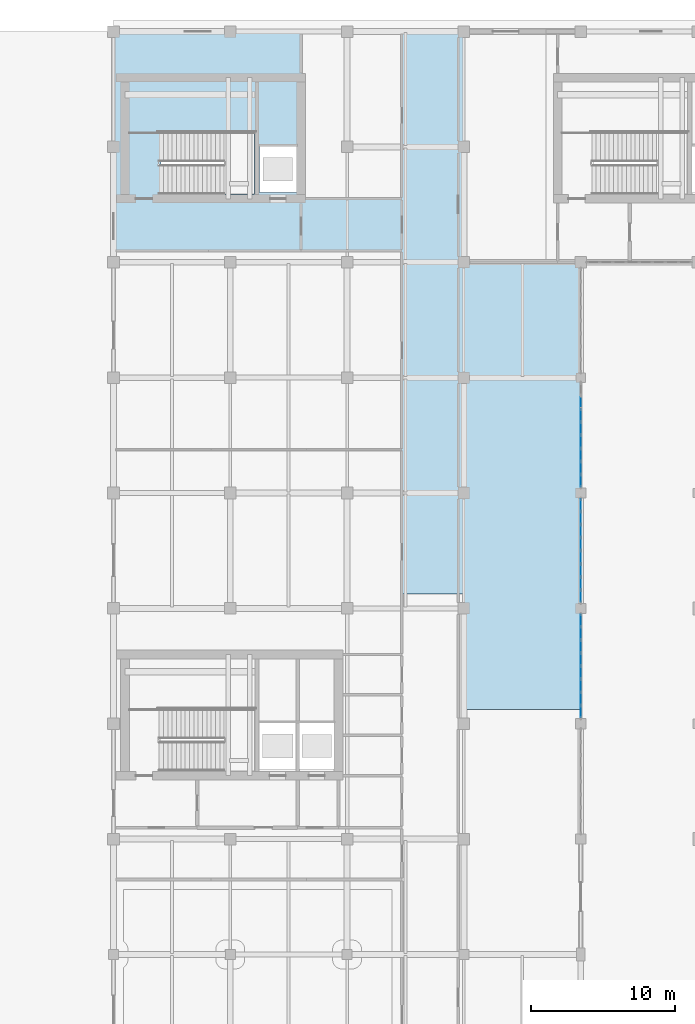
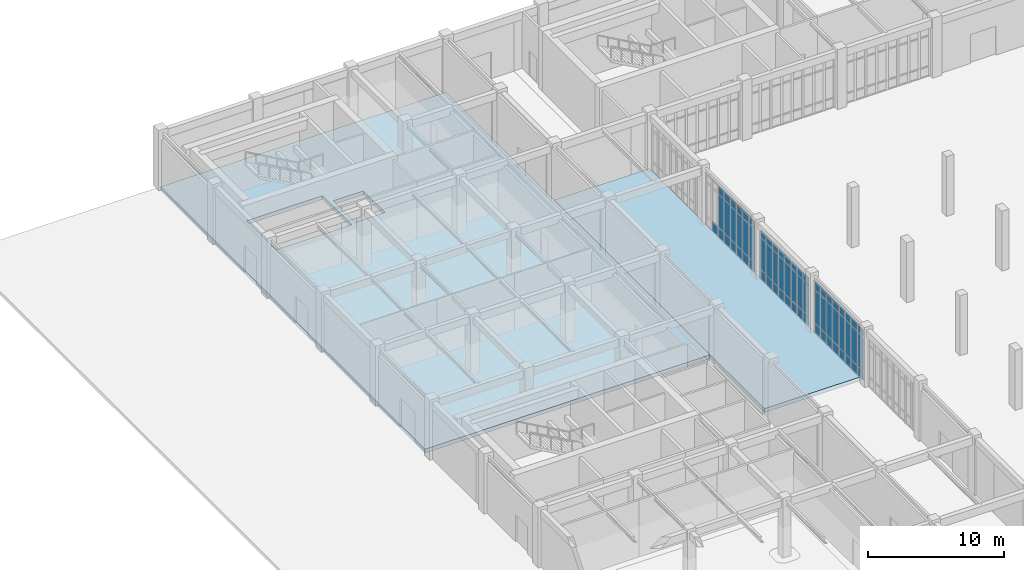
# One storey, part 34 of 62: 67 plates, 2 slabs, 3 elements without a shape of their own.
"""IFC4 building model written with IfcOpenShell, lengths in metres."""

from ifc_helpers import new_model, si_unit, direction, frame, origin, origin_2d, place, context, subcontext, project, spatial, polyline, rectangle, outline, extrude, material, layer, layer_set, type_object, element, aggregate, save


model = new_model("IFC4")

# Units and contexts
model_context = context("Model", 3, precision=1e-05, world=origin(), true_north=direction((0.0, 1.0)))
body_context = subcontext(model_context, "Body", "Model", "MODEL_VIEW")
ifc_project = project(units=[si_unit("LENGTHUNIT", "METRE"), si_unit("AREAUNIT", "SQUARE_METRE"), si_unit("VOLUMEUNIT", "CUBIC_METRE"), si_unit("PLANEANGLEUNIT", "RADIAN"), si_unit("MASSUNIT", "GRAM", prefix="KILO")], contexts=[model_context])

# Site, building, storey
site_placement = place(None, origin())
site = spatial("IfcSite", under=ifc_project, at=site_placement, CompositionType="ELEMENT")
building_placement = place(site_placement, origin())
building = spatial("IfcBuilding", under=site, at=building_placement, Name="Tarnveldt Square Police Headquarters", CompositionType="ELEMENT")
storey_placement = place(building_placement, origin())
storey = spatial("IfcBuildingStorey", under=building, at=storey_placement, Name="L00", CompositionType="ELEMENT", Elevation=0.0)

# Curtain wall, plates
ifc_material_1 = material(Name="Triple-glazed low-e laminated vision glass", Category="glass")
curtain_wall_type_1 = type_object("IfcCurtainWallType", Name="CW-WG-727x470", PredefinedType="USERDEFINED", material=ifc_material_1)
curtain_wall_1_placement = place(storey_placement, origin())
curtain_wall_1 = element("IfcCurtainWall", 1, at=curtain_wall_1_placement, inside=storey, type_object=curtain_wall_type_1, Name="L00 Curtain Wall CW-L00-063", ObjectType="GLAZED CURTAIN WALL", PredefinedType="USERDEFINED")
ifc_layer_1 = layer(ifc_material_1, 0.028076171875)
ifc_layer_set_1 = layer_set([ifc_layer_1], Name="Triple-glazed low-e laminated vision glass")
plate_type = type_object("IfcPlateType", Name="CWP-VIS-28", PredefinedType="CURTAIN_PANEL", material=ifc_layer_set_1)
plate_1_placement = place(storey_placement, frame((48.60009765625, 64.840576171875, 0.074951171875), z_axis=(0.0, 0.0, 1.0), x_axis=(0.0, 1.0, 0.0)))
plate_1 = element("IfcPlate", 2, at=plate_1_placement, type_object=plate_type, Name="CW-WG25 panel 1.1", PredefinedType="CURTAIN_PANEL", context=body_context, shape_type="SweptSolid", body=[
    extrude(rectangle(XDim=0.78125, YDim=0.028076171875, at=origin_2d()), origin(), (0.0, 0.0, 1.0), 0.78759765625),
])
plate_2_placement = place(storey_placement, frame((48.60009765625, 64.840576171875, 0.9375), z_axis=(0.0, 0.0, 1.0), x_axis=(0.0, 1.0, 0.0)))
plate_2 = element("IfcPlate", 3, at=plate_2_placement, type_object=plate_type, Name="CW-WG25 panel 1.2", PredefinedType="CURTAIN_PANEL", context=body_context, shape_type="SweptSolid", body=[
    extrude(rectangle(XDim=0.78125, YDim=0.028076171875, at=origin_2d()), origin(), (0.0, 0.0, 1.0), 2.969970703125),
])
plate_3_placement = place(storey_placement, frame((48.60009765625, 64.840576171875, 3.982421875), z_axis=(0.0, 0.0, 1.0), x_axis=(0.0, 1.0, 0.0)))
plate_3 = element("IfcPlate", 4, at=plate_3_placement, type_object=plate_type, Name="CW-WG25 panel 1.3", PredefinedType="CURTAIN_PANEL", context=body_context, shape_type="SweptSolid", body=[
    extrude(rectangle(XDim=0.78125, YDim=0.028076171875, at=origin_2d()), origin(), (0.0, 0.0, 1.0), 0.637451171875),
])
plate_4_placement = place(storey_placement, frame((48.60009765625, 65.72802734375, 0.074951171875), z_axis=(0.0, 0.0, 1.0), x_axis=(0.0, 1.0, 0.0)))
plate_4 = element("IfcPlate", 5, at=plate_4_placement, type_object=plate_type, Name="CW-WG25 panel 2.1", PredefinedType="CURTAIN_PANEL", context=body_context, shape_type="SweptSolid", body=[
    extrude(rectangle(XDim=0.82373046875, YDim=0.028076171875, at=origin_2d()), origin(), (0.0, 0.0, 1.0), 0.78759765625),
])
plate_5_placement = place(storey_placement, frame((48.60009765625, 65.72802734375, 0.9375), z_axis=(0.0, 0.0, 1.0), x_axis=(0.0, 1.0, 0.0)))
plate_5 = element("IfcPlate", 6, at=plate_5_placement, type_object=plate_type, Name="CW-WG25 panel 2.2", PredefinedType="CURTAIN_PANEL", context=body_context, shape_type="SweptSolid", body=[
    extrude(rectangle(XDim=0.82373046875, YDim=0.028076171875, at=origin_2d()), origin(), (0.0, 0.0, 1.0), 2.969970703125),
])
plate_6_placement = place(storey_placement, frame((48.60009765625, 65.72802734375, 3.982421875), z_axis=(0.0, 0.0, 1.0), x_axis=(0.0, 1.0, 0.0)))
plate_6 = element("IfcPlate", 7, at=plate_6_placement, type_object=plate_type, Name="CW-WG25 panel 2.3", PredefinedType="CURTAIN_PANEL", context=body_context, shape_type="SweptSolid", body=[
    extrude(rectangle(XDim=0.82373046875, YDim=0.028076171875, at=origin_2d()), origin(), (0.0, 0.0, 1.0), 0.637451171875),
])
plate_7_placement = place(storey_placement, frame((48.60009765625, 66.636962890625, 0.074951171875), z_axis=(0.0, 0.0, 1.0), x_axis=(0.0, 1.0, 0.0)))
plate_7 = element("IfcPlate", 8, at=plate_7_placement, type_object=plate_type, Name="CW-WG25 panel 3.1", PredefinedType="CURTAIN_PANEL", context=body_context, shape_type="SweptSolid", body=[
    extrude(rectangle(XDim=0.82373046875, YDim=0.028076171875, at=origin_2d()), origin(), (0.0, 0.0, 1.0), 0.78759765625),
])
plate_8_placement = place(storey_placement, frame((48.60009765625, 66.636962890625, 0.9375), z_axis=(0.0, 0.0, 1.0), x_axis=(0.0, 1.0, 0.0)))
plate_8 = element("IfcPlate", 9, at=plate_8_placement, type_object=plate_type, Name="CW-WG25 panel 3.2", PredefinedType="CURTAIN_PANEL", context=body_context, shape_type="SweptSolid", body=[
    extrude(rectangle(XDim=0.82373046875, YDim=0.028076171875, at=origin_2d()), origin(), (0.0, 0.0, 1.0), 2.969970703125),
])
plate_9_placement = place(storey_placement, frame((48.60009765625, 66.636962890625, 3.982421875), z_axis=(0.0, 0.0, 1.0), x_axis=(0.0, 1.0, 0.0)))
plate_9 = element("IfcPlate", 10, at=plate_9_placement, type_object=plate_type, Name="CW-WG25 panel 3.3", PredefinedType="CURTAIN_PANEL", context=body_context, shape_type="SweptSolid", body=[
    extrude(rectangle(XDim=0.82373046875, YDim=0.028076171875, at=origin_2d()), origin(), (0.0, 0.0, 1.0), 0.637451171875),
])
plate_10_placement = place(storey_placement, frame((48.60009765625, 67.545654296875, 0.074951171875), z_axis=(0.0, 0.0, 1.0), x_axis=(0.0, 1.0, 0.0)))
plate_10 = element("IfcPlate", 11, at=plate_10_placement, type_object=plate_type, Name="CW-WG25 panel 4.1", PredefinedType="CURTAIN_PANEL", context=body_context, shape_type="SweptSolid", body=[
    extrude(rectangle(XDim=0.82373046875, YDim=0.028076171875, at=origin_2d()), origin(), (0.0, 0.0, 1.0), 0.78759765625),
])
plate_11_placement = place(storey_placement, frame((48.60009765625, 67.545654296875, 0.9375), z_axis=(0.0, 0.0, 1.0), x_axis=(0.0, 1.0, 0.0)))
plate_11 = element("IfcPlate", 12, at=plate_11_placement, type_object=plate_type, Name="CW-WG25 panel 4.2", PredefinedType="CURTAIN_PANEL", context=body_context, shape_type="SweptSolid", body=[
    extrude(rectangle(XDim=0.82373046875, YDim=0.028076171875, at=origin_2d()), origin(), (0.0, 0.0, 1.0), 2.969970703125),
])
plate_12_placement = place(storey_placement, frame((48.60009765625, 67.545654296875, 3.982421875), z_axis=(0.0, 0.0, 1.0), x_axis=(0.0, 1.0, 0.0)))
plate_12 = element("IfcPlate", 13, at=plate_12_placement, type_object=plate_type, Name="CW-WG25 panel 4.3", PredefinedType="CURTAIN_PANEL", context=body_context, shape_type="SweptSolid", body=[
    extrude(rectangle(XDim=0.82373046875, YDim=0.028076171875, at=origin_2d()), origin(), (0.0, 0.0, 1.0), 0.637451171875),
])
plate_13_placement = place(storey_placement, frame((48.60009765625, 68.454345703125, 0.074951171875), z_axis=(0.0, 0.0, 1.0), x_axis=(0.0, 1.0, 0.0)))
plate_13 = element("IfcPlate", 14, at=plate_13_placement, type_object=plate_type, Name="CW-WG25 panel 5.1", PredefinedType="CURTAIN_PANEL", context=body_context, shape_type="SweptSolid", body=[
    extrude(rectangle(XDim=0.82373046875, YDim=0.028076171875, at=origin_2d()), origin(), (0.0, 0.0, 1.0), 0.78759765625),
])
plate_14_placement = place(storey_placement, frame((48.60009765625, 68.454345703125, 0.9375), z_axis=(0.0, 0.0, 1.0), x_axis=(0.0, 1.0, 0.0)))
plate_14 = element("IfcPlate", 15, at=plate_14_placement, type_object=plate_type, Name="CW-WG25 panel 5.2", PredefinedType="CURTAIN_PANEL", context=body_context, shape_type="SweptSolid", body=[
    extrude(rectangle(XDim=0.82373046875, YDim=0.028076171875, at=origin_2d()), origin(), (0.0, 0.0, 1.0), 2.969970703125),
])
plate_15_placement = place(storey_placement, frame((48.60009765625, 68.454345703125, 3.982421875), z_axis=(0.0, 0.0, 1.0), x_axis=(0.0, 1.0, 0.0)))
plate_15 = element("IfcPlate", 16, at=plate_15_placement, type_object=plate_type, Name="CW-WG25 panel 5.3", PredefinedType="CURTAIN_PANEL", context=body_context, shape_type="SweptSolid", body=[
    extrude(rectangle(XDim=0.82373046875, YDim=0.028076171875, at=origin_2d()), origin(), (0.0, 0.0, 1.0), 0.637451171875),
])
plate_16_placement = place(storey_placement, frame((48.60009765625, 69.363037109375, 0.074951171875), z_axis=(0.0, 0.0, 1.0), x_axis=(0.0, 1.0, 0.0)))
plate_16 = element("IfcPlate", 17, at=plate_16_placement, type_object=plate_type, Name="CW-WG25 panel 6.1", PredefinedType="CURTAIN_PANEL", context=body_context, shape_type="SweptSolid", body=[
    extrude(rectangle(XDim=0.82373046875, YDim=0.028076171875, at=origin_2d()), origin(), (0.0, 0.0, 1.0), 0.78759765625),
])
plate_17_placement = place(storey_placement, frame((48.60009765625, 69.363037109375, 0.9375), z_axis=(0.0, 0.0, 1.0), x_axis=(0.0, 1.0, 0.0)))
plate_17 = element("IfcPlate", 18, at=plate_17_placement, type_object=plate_type, Name="CW-WG25 panel 6.2", PredefinedType="CURTAIN_PANEL", context=body_context, shape_type="SweptSolid", body=[
    extrude(rectangle(XDim=0.82373046875, YDim=0.028076171875, at=origin_2d()), origin(), (0.0, 0.0, 1.0), 2.969970703125),
])
plate_18_placement = place(storey_placement, frame((48.60009765625, 69.363037109375, 3.982421875), z_axis=(0.0, 0.0, 1.0), x_axis=(0.0, 1.0, 0.0)))
plate_18 = element("IfcPlate", 19, at=plate_18_placement, type_object=plate_type, Name="CW-WG25 panel 6.3", PredefinedType="CURTAIN_PANEL", context=body_context, shape_type="SweptSolid", body=[
    extrude(rectangle(XDim=0.82373046875, YDim=0.028076171875, at=origin_2d()), origin(), (0.0, 0.0, 1.0), 0.637451171875),
])
plate_19_placement = place(storey_placement, frame((48.60009765625, 70.27197265625, 0.074951171875), z_axis=(0.0, 0.0, 1.0), x_axis=(0.0, 1.0, 0.0)))
plate_19 = element("IfcPlate", 20, at=plate_19_placement, type_object=plate_type, Name="CW-WG25 panel 7.1", PredefinedType="CURTAIN_PANEL", context=body_context, shape_type="SweptSolid", body=[
    extrude(rectangle(XDim=0.82373046875, YDim=0.028076171875, at=origin_2d()), origin(), (0.0, 0.0, 1.0), 0.78759765625),
])
plate_20_placement = place(storey_placement, frame((48.60009765625, 70.27197265625, 0.9375), z_axis=(0.0, 0.0, 1.0), x_axis=(0.0, 1.0, 0.0)))
plate_20 = element("IfcPlate", 21, at=plate_20_placement, type_object=plate_type, Name="CW-WG25 panel 7.2", PredefinedType="CURTAIN_PANEL", context=body_context, shape_type="SweptSolid", body=[
    extrude(rectangle(XDim=0.82373046875, YDim=0.028076171875, at=origin_2d()), origin(), (0.0, 0.0, 1.0), 2.969970703125),
])
plate_21_placement = place(storey_placement, frame((48.60009765625, 70.27197265625, 3.982421875), z_axis=(0.0, 0.0, 1.0), x_axis=(0.0, 1.0, 0.0)))
plate_21 = element("IfcPlate", 22, at=plate_21_placement, type_object=plate_type, Name="CW-WG25 panel 7.3", PredefinedType="CURTAIN_PANEL", context=body_context, shape_type="SweptSolid", body=[
    extrude(rectangle(XDim=0.82373046875, YDim=0.028076171875, at=origin_2d()), origin(), (0.0, 0.0, 1.0), 0.637451171875),
])
plate_22_placement = place(storey_placement, frame((48.60009765625, 71.159423828125, 0.074951171875), z_axis=(0.0, 0.0, 1.0), x_axis=(0.0, 1.0, 0.0)))
plate_22 = element("IfcPlate", 23, at=plate_22_placement, type_object=plate_type, Name="CW-WG25 panel 8.1", PredefinedType="CURTAIN_PANEL", context=body_context, shape_type="SweptSolid", body=[
    extrude(rectangle(XDim=0.78125, YDim=0.028076171875, at=origin_2d()), origin(), (0.0, 0.0, 1.0), 0.78759765625),
])
plate_23_placement = place(storey_placement, frame((48.60009765625, 71.159423828125, 0.9375), z_axis=(0.0, 0.0, 1.0), x_axis=(0.0, 1.0, 0.0)))
plate_23 = element("IfcPlate", 24, at=plate_23_placement, type_object=plate_type, Name="CW-WG25 panel 8.2", PredefinedType="CURTAIN_PANEL", context=body_context, shape_type="SweptSolid", body=[
    extrude(rectangle(XDim=0.78125, YDim=0.028076171875, at=origin_2d()), origin(), (0.0, 0.0, 1.0), 2.969970703125),
])
plate_24_placement = place(storey_placement, frame((48.60009765625, 71.159423828125, 3.982421875), z_axis=(0.0, 0.0, 1.0), x_axis=(0.0, 1.0, 0.0)))
plate_24 = element("IfcPlate", 25, at=plate_24_placement, type_object=plate_type, Name="CW-WG25 panel 8.3", PredefinedType="CURTAIN_PANEL", context=body_context, shape_type="SweptSolid", body=[
    extrude(rectangle(XDim=0.78125, YDim=0.028076171875, at=origin_2d()), origin(), (0.0, 0.0, 1.0), 0.637451171875),
])
aggregate(curtain_wall_1, [plate_1, plate_2, plate_3, plate_4, plate_5, plate_6, plate_7, plate_8, plate_9, plate_10, plate_11, plate_12, plate_13, plate_14, plate_15, plate_16, plate_17, plate_18, plate_19, plate_20, plate_21, plate_22, plate_23, plate_24])

curtain_wall_type_2 = type_object("IfcCurtainWallType", Name="CW-WG-727x451", PredefinedType="USERDEFINED", material=ifc_material_1)
curtain_wall_2_placement = place(storey_placement, origin())
curtain_wall_2 = element("IfcCurtainWall", 26, at=curtain_wall_2_placement, inside=storey, type_object=curtain_wall_type_2, Name="L00 Curtain Wall CW-L00-064", ObjectType="GLAZED CURTAIN WALL", PredefinedType="USERDEFINED")
plate_25_placement = place(storey_placement, frame((48.60009765625, 72.840576171875, 0.074951171875), z_axis=(0.0, 0.0, 1.0), x_axis=(0.0, 1.0, 0.0)))
plate_25 = element("IfcPlate", 27, at=plate_25_placement, type_object=plate_type, Name="CW-WG24 panel 1.1", PredefinedType="CURTAIN_PANEL", context=body_context, shape_type="SweptSolid", body=[
    extrude(rectangle(XDim=0.78125, YDim=0.028076171875, at=origin_2d()), origin(), (0.0, 0.0, 1.0), 0.78759765625),
])
plate_26_placement = place(storey_placement, frame((48.60009765625, 72.840576171875, 0.9375), z_axis=(0.0, 0.0, 1.0), x_axis=(0.0, 1.0, 0.0)))
plate_26 = element("IfcPlate", 28, at=plate_26_placement, type_object=plate_type, Name="CW-WG24 panel 1.2", PredefinedType="CURTAIN_PANEL", context=body_context, shape_type="SweptSolid", body=[
    extrude(rectangle(XDim=0.78125, YDim=0.028076171875, at=origin_2d()), origin(), (0.0, 0.0, 1.0), 2.787109375),
])
plate_27_placement = place(storey_placement, frame((48.60009765625, 72.840576171875, 3.79931640625), z_axis=(0.0, 0.0, 1.0), x_axis=(0.0, 1.0, 0.0)))
plate_27 = element("IfcPlate", 29, at=plate_27_placement, type_object=plate_type, Name="CW-WG24 panel 1.3", PredefinedType="CURTAIN_PANEL", context=body_context, shape_type="SweptSolid", body=[
    extrude(rectangle(XDim=0.78125, YDim=0.028076171875, at=origin_2d()), origin(), (0.0, 0.0, 1.0), 0.637451171875),
])
plate_28_placement = place(storey_placement, frame((48.60009765625, 73.72802734375, 0.074951171875), z_axis=(0.0, 0.0, 1.0), x_axis=(0.0, 1.0, 0.0)))
plate_28 = element("IfcPlate", 30, at=plate_28_placement, type_object=plate_type, Name="CW-WG24 panel 2.1", PredefinedType="CURTAIN_PANEL", context=body_context, shape_type="SweptSolid", body=[
    extrude(rectangle(XDim=0.82373046875, YDim=0.028076171875, at=origin_2d()), origin(), (0.0, 0.0, 1.0), 0.78759765625),
])
plate_29_placement = place(storey_placement, frame((48.60009765625, 73.72802734375, 0.9375), z_axis=(0.0, 0.0, 1.0), x_axis=(0.0, 1.0, 0.0)))
plate_29 = element("IfcPlate", 31, at=plate_29_placement, type_object=plate_type, Name="CW-WG24 panel 2.2", PredefinedType="CURTAIN_PANEL", context=body_context, shape_type="SweptSolid", body=[
    extrude(rectangle(XDim=0.82373046875, YDim=0.028076171875, at=origin_2d()), origin(), (0.0, 0.0, 1.0), 2.787109375),
])
plate_30_placement = place(storey_placement, frame((48.60009765625, 73.72802734375, 3.79931640625), z_axis=(0.0, 0.0, 1.0), x_axis=(0.0, 1.0, 0.0)))
plate_30 = element("IfcPlate", 32, at=plate_30_placement, type_object=plate_type, Name="CW-WG24 panel 2.3", PredefinedType="CURTAIN_PANEL", context=body_context, shape_type="SweptSolid", body=[
    extrude(rectangle(XDim=0.82373046875, YDim=0.028076171875, at=origin_2d()), origin(), (0.0, 0.0, 1.0), 0.637451171875),
])
plate_31_placement = place(storey_placement, frame((48.60009765625, 74.636962890625, 0.074951171875), z_axis=(0.0, 0.0, 1.0), x_axis=(0.0, 1.0, 0.0)))
plate_31 = element("IfcPlate", 33, at=plate_31_placement, type_object=plate_type, Name="CW-WG24 panel 3.1", PredefinedType="CURTAIN_PANEL", context=body_context, shape_type="SweptSolid", body=[
    extrude(rectangle(XDim=0.82373046875, YDim=0.028076171875, at=origin_2d()), origin(), (0.0, 0.0, 1.0), 0.78759765625),
])
plate_32_placement = place(storey_placement, frame((48.60009765625, 74.636962890625, 0.9375), z_axis=(0.0, 0.0, 1.0), x_axis=(0.0, 1.0, 0.0)))
plate_32 = element("IfcPlate", 34, at=plate_32_placement, type_object=plate_type, Name="CW-WG24 panel 3.2", PredefinedType="CURTAIN_PANEL", context=body_context, shape_type="SweptSolid", body=[
    extrude(rectangle(XDim=0.82373046875, YDim=0.028076171875, at=origin_2d()), origin(), (0.0, 0.0, 1.0), 2.787109375),
])
plate_33_placement = place(storey_placement, frame((48.60009765625, 74.636962890625, 3.79931640625), z_axis=(0.0, 0.0, 1.0), x_axis=(0.0, 1.0, 0.0)))
plate_33 = element("IfcPlate", 35, at=plate_33_placement, type_object=plate_type, Name="CW-WG24 panel 3.3", PredefinedType="CURTAIN_PANEL", context=body_context, shape_type="SweptSolid", body=[
    extrude(rectangle(XDim=0.82373046875, YDim=0.028076171875, at=origin_2d()), origin(), (0.0, 0.0, 1.0), 0.637451171875),
])
plate_34_placement = place(storey_placement, frame((48.60009765625, 75.545654296875, 0.074951171875), z_axis=(0.0, 0.0, 1.0), x_axis=(0.0, 1.0, 0.0)))
plate_34 = element("IfcPlate", 36, at=plate_34_placement, type_object=plate_type, Name="CW-WG24 panel 4.1", PredefinedType="CURTAIN_PANEL", context=body_context, shape_type="SweptSolid", body=[
    extrude(rectangle(XDim=0.82373046875, YDim=0.028076171875, at=origin_2d()), origin(), (0.0, 0.0, 1.0), 0.78759765625),
])
plate_35_placement = place(storey_placement, frame((48.60009765625, 75.545654296875, 0.9375), z_axis=(0.0, 0.0, 1.0), x_axis=(0.0, 1.0, 0.0)))
plate_35 = element("IfcPlate", 37, at=plate_35_placement, type_object=plate_type, Name="CW-WG24 panel 4.2", PredefinedType="CURTAIN_PANEL", context=body_context, shape_type="SweptSolid", body=[
    extrude(rectangle(XDim=0.82373046875, YDim=0.028076171875, at=origin_2d()), origin(), (0.0, 0.0, 1.0), 2.787109375),
])
plate_36_placement = place(storey_placement, frame((48.60009765625, 75.545654296875, 3.79931640625), z_axis=(0.0, 0.0, 1.0), x_axis=(0.0, 1.0, 0.0)))
plate_36 = element("IfcPlate", 38, at=plate_36_placement, type_object=plate_type, Name="CW-WG24 panel 4.3", PredefinedType="CURTAIN_PANEL", context=body_context, shape_type="SweptSolid", body=[
    extrude(rectangle(XDim=0.82373046875, YDim=0.028076171875, at=origin_2d()), origin(), (0.0, 0.0, 1.0), 0.637451171875),
])
plate_37_placement = place(storey_placement, frame((48.60009765625, 76.454345703125, 0.074951171875), z_axis=(0.0, 0.0, 1.0), x_axis=(0.0, 1.0, 0.0)))
plate_37 = element("IfcPlate", 39, at=plate_37_placement, type_object=plate_type, Name="CW-WG24 panel 5.1", PredefinedType="CURTAIN_PANEL", context=body_context, shape_type="SweptSolid", body=[
    extrude(rectangle(XDim=0.82373046875, YDim=0.028076171875, at=origin_2d()), origin(), (0.0, 0.0, 1.0), 0.78759765625),
])
plate_38_placement = place(storey_placement, frame((48.60009765625, 76.454345703125, 0.9375), z_axis=(0.0, 0.0, 1.0), x_axis=(0.0, 1.0, 0.0)))
plate_38 = element("IfcPlate", 40, at=plate_38_placement, type_object=plate_type, Name="CW-WG24 panel 5.2", PredefinedType="CURTAIN_PANEL", context=body_context, shape_type="SweptSolid", body=[
    extrude(rectangle(XDim=0.82373046875, YDim=0.028076171875, at=origin_2d()), origin(), (0.0, 0.0, 1.0), 2.787109375),
])
plate_39_placement = place(storey_placement, frame((48.60009765625, 76.454345703125, 3.79931640625), z_axis=(0.0, 0.0, 1.0), x_axis=(0.0, 1.0, 0.0)))
plate_39 = element("IfcPlate", 41, at=plate_39_placement, type_object=plate_type, Name="CW-WG24 panel 5.3", PredefinedType="CURTAIN_PANEL", context=body_context, shape_type="SweptSolid", body=[
    extrude(rectangle(XDim=0.82373046875, YDim=0.028076171875, at=origin_2d()), origin(), (0.0, 0.0, 1.0), 0.637451171875),
])
plate_40_placement = place(storey_placement, frame((48.60009765625, 77.363037109375, 0.074951171875), z_axis=(0.0, 0.0, 1.0), x_axis=(0.0, 1.0, 0.0)))
plate_40 = element("IfcPlate", 42, at=plate_40_placement, type_object=plate_type, Name="CW-WG24 panel 6.1", PredefinedType="CURTAIN_PANEL", context=body_context, shape_type="SweptSolid", body=[
    extrude(rectangle(XDim=0.82373046875, YDim=0.028076171875, at=origin_2d()), origin(), (0.0, 0.0, 1.0), 0.78759765625),
])
plate_41_placement = place(storey_placement, frame((48.60009765625, 77.363037109375, 0.9375), z_axis=(0.0, 0.0, 1.0), x_axis=(0.0, 1.0, 0.0)))
plate_41 = element("IfcPlate", 43, at=plate_41_placement, type_object=plate_type, Name="CW-WG24 panel 6.2", PredefinedType="CURTAIN_PANEL", context=body_context, shape_type="SweptSolid", body=[
    extrude(rectangle(XDim=0.82373046875, YDim=0.028076171875, at=origin_2d()), origin(), (0.0, 0.0, 1.0), 2.787109375),
])
plate_42_placement = place(storey_placement, frame((48.60009765625, 77.363037109375, 3.79931640625), z_axis=(0.0, 0.0, 1.0), x_axis=(0.0, 1.0, 0.0)))
plate_42 = element("IfcPlate", 44, at=plate_42_placement, type_object=plate_type, Name="CW-WG24 panel 6.3", PredefinedType="CURTAIN_PANEL", context=body_context, shape_type="SweptSolid", body=[
    extrude(rectangle(XDim=0.82373046875, YDim=0.028076171875, at=origin_2d()), origin(), (0.0, 0.0, 1.0), 0.637451171875),
])
plate_43_placement = place(storey_placement, frame((48.60009765625, 78.27197265625, 0.074951171875), z_axis=(0.0, 0.0, 1.0), x_axis=(0.0, 1.0, 0.0)))
plate_43 = element("IfcPlate", 45, at=plate_43_placement, type_object=plate_type, Name="CW-WG24 panel 7.1", PredefinedType="CURTAIN_PANEL", context=body_context, shape_type="SweptSolid", body=[
    extrude(rectangle(XDim=0.82373046875, YDim=0.028076171875, at=origin_2d()), origin(), (0.0, 0.0, 1.0), 0.78759765625),
])
plate_44_placement = place(storey_placement, frame((48.60009765625, 78.27197265625, 0.9375), z_axis=(0.0, 0.0, 1.0), x_axis=(0.0, 1.0, 0.0)))
plate_44 = element("IfcPlate", 46, at=plate_44_placement, type_object=plate_type, Name="CW-WG24 panel 7.2", PredefinedType="CURTAIN_PANEL", context=body_context, shape_type="SweptSolid", body=[
    extrude(rectangle(XDim=0.82373046875, YDim=0.028076171875, at=origin_2d()), origin(), (0.0, 0.0, 1.0), 2.787109375),
])
plate_45_placement = place(storey_placement, frame((48.60009765625, 78.27197265625, 3.79931640625), z_axis=(0.0, 0.0, 1.0), x_axis=(0.0, 1.0, 0.0)))
plate_45 = element("IfcPlate", 47, at=plate_45_placement, type_object=plate_type, Name="CW-WG24 panel 7.3", PredefinedType="CURTAIN_PANEL", context=body_context, shape_type="SweptSolid", body=[
    extrude(rectangle(XDim=0.82373046875, YDim=0.028076171875, at=origin_2d()), origin(), (0.0, 0.0, 1.0), 0.637451171875),
])
plate_46_placement = place(storey_placement, frame((48.60009765625, 79.159423828125, 0.074951171875), z_axis=(0.0, 0.0, 1.0), x_axis=(0.0, 1.0, 0.0)))
plate_46 = element("IfcPlate", 48, at=plate_46_placement, type_object=plate_type, Name="CW-WG24 panel 8.1", PredefinedType="CURTAIN_PANEL", context=body_context, shape_type="SweptSolid", body=[
    extrude(rectangle(XDim=0.78125, YDim=0.028076171875, at=origin_2d()), origin(), (0.0, 0.0, 1.0), 0.78759765625),
])
plate_47_placement = place(storey_placement, frame((48.60009765625, 79.159423828125, 0.9375), z_axis=(0.0, 0.0, 1.0), x_axis=(0.0, 1.0, 0.0)))
plate_47 = element("IfcPlate", 49, at=plate_47_placement, type_object=plate_type, Name="CW-WG24 panel 8.2", PredefinedType="CURTAIN_PANEL", context=body_context, shape_type="SweptSolid", body=[
    extrude(rectangle(XDim=0.78125, YDim=0.028076171875, at=origin_2d()), origin(), (0.0, 0.0, 1.0), 2.787109375),
])
plate_48_placement = place(storey_placement, frame((48.60009765625, 79.159423828125, 3.79931640625), z_axis=(0.0, 0.0, 1.0), x_axis=(0.0, 1.0, 0.0)))
plate_48 = element("IfcPlate", 50, at=plate_48_placement, type_object=plate_type, Name="CW-WG24 panel 8.3", PredefinedType="CURTAIN_PANEL", context=body_context, shape_type="SweptSolid", body=[
    extrude(rectangle(XDim=0.78125, YDim=0.028076171875, at=origin_2d()), origin(), (0.0, 0.0, 1.0), 0.637451171875),
])
aggregate(curtain_wall_2, [plate_25, plate_26, plate_27, plate_28, plate_29, plate_30, plate_31, plate_32, plate_33, plate_34, plate_35, plate_36, plate_37, plate_38, plate_39, plate_40, plate_41, plate_42, plate_43, plate_44, plate_45, plate_46, plate_47, plate_48])

curtain_wall_type_3 = type_object("IfcCurtainWallType", Name="CW-WG-730x470", PredefinedType="USERDEFINED", material=ifc_material_1)
curtain_wall_3_placement = place(storey_placement, origin())
curtain_wall_3 = element("IfcCurtainWall", 51, at=curtain_wall_3_placement, inside=storey, type_object=curtain_wall_type_3, Name="L00 Curtain Wall CW-L00-065", ObjectType="GLAZED CURTAIN WALL", PredefinedType="USERDEFINED")
plate_49_placement = place(storey_placement, frame((48.60009765625, 80.84228515625, 0.074951171875), z_axis=(0.0, 0.0, 1.0), x_axis=(0.0, 1.0, 0.0)))
plate_49 = element("IfcPlate", 52, at=plate_49_placement, type_object=plate_type, Name="CW-WG26 panel 1.1", PredefinedType="CURTAIN_PANEL", context=body_context, shape_type="SweptSolid", body=[
    extrude(rectangle(XDim=0.784423828125, YDim=0.028076171875, at=origin_2d()), origin(), (0.0, 0.0, 1.0), 0.78759765625),
])
plate_50_placement = place(storey_placement, frame((48.60009765625, 80.84228515625, 0.9375), z_axis=(0.0, 0.0, 1.0), x_axis=(0.0, 1.0, 0.0)))
plate_50 = element("IfcPlate", 53, at=plate_50_placement, type_object=plate_type, Name="CW-WG26 panel 1.2", PredefinedType="CURTAIN_PANEL", context=body_context, shape_type="SweptSolid", body=[
    extrude(rectangle(XDim=0.784423828125, YDim=0.028076171875, at=origin_2d()), origin(), (0.0, 0.0, 1.0), 2.969970703125),
])
plate_51_placement = place(storey_placement, frame((48.60009765625, 80.84228515625, 3.982421875), z_axis=(0.0, 0.0, 1.0), x_axis=(0.0, 1.0, 0.0)))
plate_51 = element("IfcPlate", 54, at=plate_51_placement, type_object=plate_type, Name="CW-WG26 panel 1.3", PredefinedType="CURTAIN_PANEL", context=body_context, shape_type="SweptSolid", body=[
    extrude(rectangle(XDim=0.784423828125, YDim=0.028076171875, at=origin_2d()), origin(), (0.0, 0.0, 1.0), 0.637451171875),
])
plate_52_placement = place(storey_placement, frame((48.60009765625, 81.73291015625, 0.074951171875), z_axis=(0.0, 0.0, 1.0), x_axis=(0.0, 1.0, 0.0)))
plate_52 = element("IfcPlate", 55, at=plate_52_placement, type_object=plate_type, Name="CW-WG26 panel 2.1", PredefinedType="CURTAIN_PANEL", context=body_context, shape_type="SweptSolid", body=[
    extrude(rectangle(XDim=0.826904296875, YDim=0.028076171875, at=origin_2d()), origin(), (0.0, 0.0, 1.0), 0.78759765625),
])
plate_53_placement = place(storey_placement, frame((48.60009765625, 81.73291015625, 0.9375), z_axis=(0.0, 0.0, 1.0), x_axis=(0.0, 1.0, 0.0)))
plate_53 = element("IfcPlate", 56, at=plate_53_placement, type_object=plate_type, Name="CW-WG26 panel 2.2", PredefinedType="CURTAIN_PANEL", context=body_context, shape_type="SweptSolid", body=[
    extrude(rectangle(XDim=0.826904296875, YDim=0.028076171875, at=origin_2d()), origin(), (0.0, 0.0, 1.0), 2.969970703125),
])
plate_54_placement = place(storey_placement, frame((48.60009765625, 81.73291015625, 3.982421875), z_axis=(0.0, 0.0, 1.0), x_axis=(0.0, 1.0, 0.0)))
plate_54 = element("IfcPlate", 57, at=plate_54_placement, type_object=plate_type, Name="CW-WG26 panel 2.3", PredefinedType="CURTAIN_PANEL", context=body_context, shape_type="SweptSolid", body=[
    extrude(rectangle(XDim=0.826904296875, YDim=0.028076171875, at=origin_2d()), origin(), (0.0, 0.0, 1.0), 0.637451171875),
])
plate_55_placement = place(storey_placement, frame((48.60009765625, 82.644775390625, 0.074951171875), z_axis=(0.0, 0.0, 1.0), x_axis=(0.0, 1.0, 0.0)))
plate_55 = element("IfcPlate", 58, at=plate_55_placement, type_object=plate_type, Name="CW-WG26 panel 3.1", PredefinedType="CURTAIN_PANEL", context=body_context, shape_type="SweptSolid", body=[
    extrude(rectangle(XDim=0.826904296875, YDim=0.028076171875, at=origin_2d()), origin(), (0.0, 0.0, 1.0), 0.78759765625),
])
plate_56_placement = place(storey_placement, frame((48.60009765625, 82.644775390625, 0.9375), z_axis=(0.0, 0.0, 1.0), x_axis=(0.0, 1.0, 0.0)))
plate_56 = element("IfcPlate", 59, at=plate_56_placement, type_object=plate_type, Name="CW-WG26 panel 3.2", PredefinedType="CURTAIN_PANEL", context=body_context, shape_type="SweptSolid", body=[
    extrude(rectangle(XDim=0.826904296875, YDim=0.028076171875, at=origin_2d()), origin(), (0.0, 0.0, 1.0), 2.969970703125),
])
plate_57_placement = place(storey_placement, frame((48.60009765625, 82.644775390625, 3.982421875), z_axis=(0.0, 0.0, 1.0), x_axis=(0.0, 1.0, 0.0)))
plate_57 = element("IfcPlate", 60, at=plate_57_placement, type_object=plate_type, Name="CW-WG26 panel 3.3", PredefinedType="CURTAIN_PANEL", context=body_context, shape_type="SweptSolid", body=[
    extrude(rectangle(XDim=0.826904296875, YDim=0.028076171875, at=origin_2d()), origin(), (0.0, 0.0, 1.0), 0.637451171875),
])
plate_58_placement = place(storey_placement, frame((48.60009765625, 83.556640625, 0.074951171875), z_axis=(0.0, 0.0, 1.0), x_axis=(0.0, 1.0, 0.0)))
plate_58 = element("IfcPlate", 61, at=plate_58_placement, type_object=plate_type, Name="CW-WG26 panel 4.1", PredefinedType="CURTAIN_PANEL", context=body_context, shape_type="SweptSolid", body=[
    extrude(rectangle(XDim=0.826904296875, YDim=0.028076171875, at=origin_2d()), origin(), (0.0, 0.0, 1.0), 0.78759765625),
])
plate_59_placement = place(storey_placement, frame((48.60009765625, 83.556640625, 0.9375), z_axis=(0.0, 0.0, 1.0), x_axis=(0.0, 1.0, 0.0)))
plate_59 = element("IfcPlate", 62, at=plate_59_placement, type_object=plate_type, Name="CW-WG26 panel 4.2", PredefinedType="CURTAIN_PANEL", context=body_context, shape_type="SweptSolid", body=[
    extrude(rectangle(XDim=0.826904296875, YDim=0.028076171875, at=origin_2d()), origin(), (0.0, 0.0, 1.0), 2.969970703125),
])
plate_60_placement = place(storey_placement, frame((48.60009765625, 83.556640625, 3.982421875), z_axis=(0.0, 0.0, 1.0), x_axis=(0.0, 1.0, 0.0)))
plate_60 = element("IfcPlate", 63, at=plate_60_placement, type_object=plate_type, Name="CW-WG26 panel 4.3", PredefinedType="CURTAIN_PANEL", context=body_context, shape_type="SweptSolid", body=[
    extrude(rectangle(XDim=0.826904296875, YDim=0.028076171875, at=origin_2d()), origin(), (0.0, 0.0, 1.0), 0.637451171875),
])
plate_61_placement = place(storey_placement, frame((48.60009765625, 84.468505859375, 0.074951171875), z_axis=(0.0, 0.0, 1.0), x_axis=(0.0, 1.0, 0.0)))
plate_61 = element("IfcPlate", 64, at=plate_61_placement, type_object=plate_type, Name="CW-WG26 panel 5.1", PredefinedType="CURTAIN_PANEL", context=body_context, shape_type="SweptSolid", body=[
    extrude(rectangle(XDim=0.826904296875, YDim=0.028076171875, at=origin_2d()), origin(), (0.0, 0.0, 1.0), 0.78759765625),
])
plate_62_placement = place(storey_placement, frame((48.60009765625, 84.468505859375, 0.9375), z_axis=(0.0, 0.0, 1.0), x_axis=(0.0, 1.0, 0.0)))
plate_62 = element("IfcPlate", 65, at=plate_62_placement, type_object=plate_type, Name="CW-WG26 panel 5.2", PredefinedType="CURTAIN_PANEL", context=body_context, shape_type="SweptSolid", body=[
    extrude(rectangle(XDim=0.826904296875, YDim=0.028076171875, at=origin_2d()), origin(), (0.0, 0.0, 1.0), 2.969970703125),
])
plate_63_placement = place(storey_placement, frame((48.60009765625, 84.468505859375, 3.982421875), z_axis=(0.0, 0.0, 1.0), x_axis=(0.0, 1.0, 0.0)))
plate_63 = element("IfcPlate", 66, at=plate_63_placement, type_object=plate_type, Name="CW-WG26 panel 5.3", PredefinedType="CURTAIN_PANEL", context=body_context, shape_type="SweptSolid", body=[
    extrude(rectangle(XDim=0.826904296875, YDim=0.028076171875, at=origin_2d()), origin(), (0.0, 0.0, 1.0), 0.637451171875),
])
plate_64_placement = place(storey_placement, frame((48.60009765625, 85.38037109375, 0.074951171875), z_axis=(0.0, 0.0, 1.0), x_axis=(0.0, 1.0, 0.0)))
plate_64 = element("IfcPlate", 67, at=plate_64_placement, type_object=plate_type, Name="CW-WG26 panel 6.1", PredefinedType="CURTAIN_PANEL", context=body_context, shape_type="SweptSolid", body=[
    extrude(rectangle(XDim=0.826904296875, YDim=0.028076171875, at=origin_2d()), origin(), (0.0, 0.0, 1.0), 0.78759765625),
])
plate_65_placement = place(storey_placement, frame((48.60009765625, 85.38037109375, 0.9375), z_axis=(0.0, 0.0, 1.0), x_axis=(0.0, 1.0, 0.0)))
plate_65 = element("IfcPlate", 68, at=plate_65_placement, type_object=plate_type, Name="CW-WG26 panel 6.2", PredefinedType="CURTAIN_PANEL", context=body_context, shape_type="SweptSolid", body=[
    extrude(rectangle(XDim=0.826904296875, YDim=0.028076171875, at=origin_2d()), origin(), (0.0, 0.0, 1.0), 2.969970703125),
])
plate_66_placement = place(storey_placement, frame((48.60009765625, 85.38037109375, 3.982421875), z_axis=(0.0, 0.0, 1.0), x_axis=(0.0, 1.0, 0.0)))
plate_66 = element("IfcPlate", 69, at=plate_66_placement, type_object=plate_type, Name="CW-WG26 panel 6.3", PredefinedType="CURTAIN_PANEL", context=body_context, shape_type="SweptSolid", body=[
    extrude(rectangle(XDim=0.826904296875, YDim=0.028076171875, at=origin_2d()), origin(), (0.0, 0.0, 1.0), 0.637451171875),
])
plate_67_placement = place(storey_placement, frame((48.60009765625, 86.292236328125, 0.074951171875), z_axis=(0.0, 0.0, 1.0), x_axis=(0.0, 1.0, 0.0)))
plate_67 = element("IfcPlate", 70, at=plate_67_placement, type_object=plate_type, Name="CW-WG26 panel 7.1", PredefinedType="CURTAIN_PANEL", context=body_context, shape_type="SweptSolid", body=[
    extrude(rectangle(XDim=0.826904296875, YDim=0.028076171875, at=origin_2d()), origin(), (0.0, 0.0, 1.0), 0.78759765625),
])
aggregate(curtain_wall_3, [plate_49, plate_50, plate_51, plate_52, plate_53, plate_54, plate_55, plate_56, plate_57, plate_58, plate_59, plate_60, plate_61, plate_62, plate_63, plate_64, plate_65, plate_66, plate_67])

# Slabs
ifc_material_2 = material(Name="Concrete 40 MPa", Category="concrete")
ifc_layer_2 = layer(ifc_material_2, 0.35009765625)
ifc_layer_set_2 = layer_set([ifc_layer_2], Name="Concrete 40 MPa")
slab_type = type_object("IfcSlabType", Name="SL-L00-350", PredefinedType="FLOOR", material=ifc_layer_set_2)
slab_1_placement = place(storey_placement, frame((0.0, 0.0, -0.35009765625)))
element("IfcSlab", 71, at=slab_1_placement, inside=storey, type_object=slab_type, Name="L00 Structural Floor Slab L00-V5-2", PredefinedType="FLOOR", context=body_context, shape_type="SweptSolid", body=[
    extrude(outline(polyline([(40.5, 73.0), (16.199951171875, 73.0), (16.199951171875, 112.0), (40.5, 112.0), (40.5, 73.0)]), holes=[polyline([(26.330078125, 104.050048828125), (26.330078125, 100.85009765625), (28.8798828125, 100.85009765625), (28.8798828125, 104.050048828125), (26.330078125, 104.050048828125)]), polyline([(19.510009765625, 105.02001953125), (19.510009765625, 100.719970703125), (25.969970703125, 100.719970703125), (25.969970703125, 105.02001953125), (19.510009765625, 105.02001953125)])]), origin(), (0.0, 0.0, 1.0), 0.35009765625),
])
slab_2_placement = place(storey_placement, frame((0.0, 0.0, -0.35009765625)))
element("IfcSlab", 72, at=slab_2_placement, inside=storey, type_object=slab_type, Name="L00 Structural Floor Slab L00-WG-2", PredefinedType="FLOOR", context=body_context, shape_type="SweptSolid", body=[
    extrude(outline(polyline([(40.5, 96.0), (46.199951171875, 96.0), (48.60009765625, 96.0), (48.60009765625, 65.0), (40.5, 65.0), (40.5, 96.0)])), origin(), (0.0, 0.0, 1.0), 0.35009765625),
])

save(model, "model.ifc")
